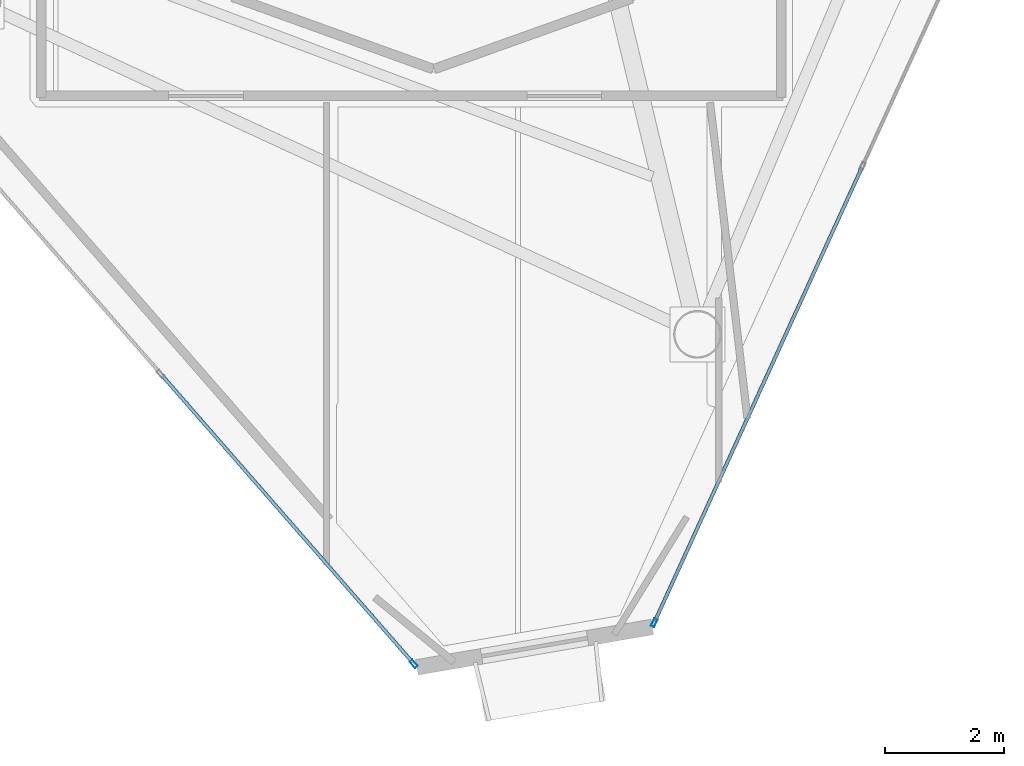
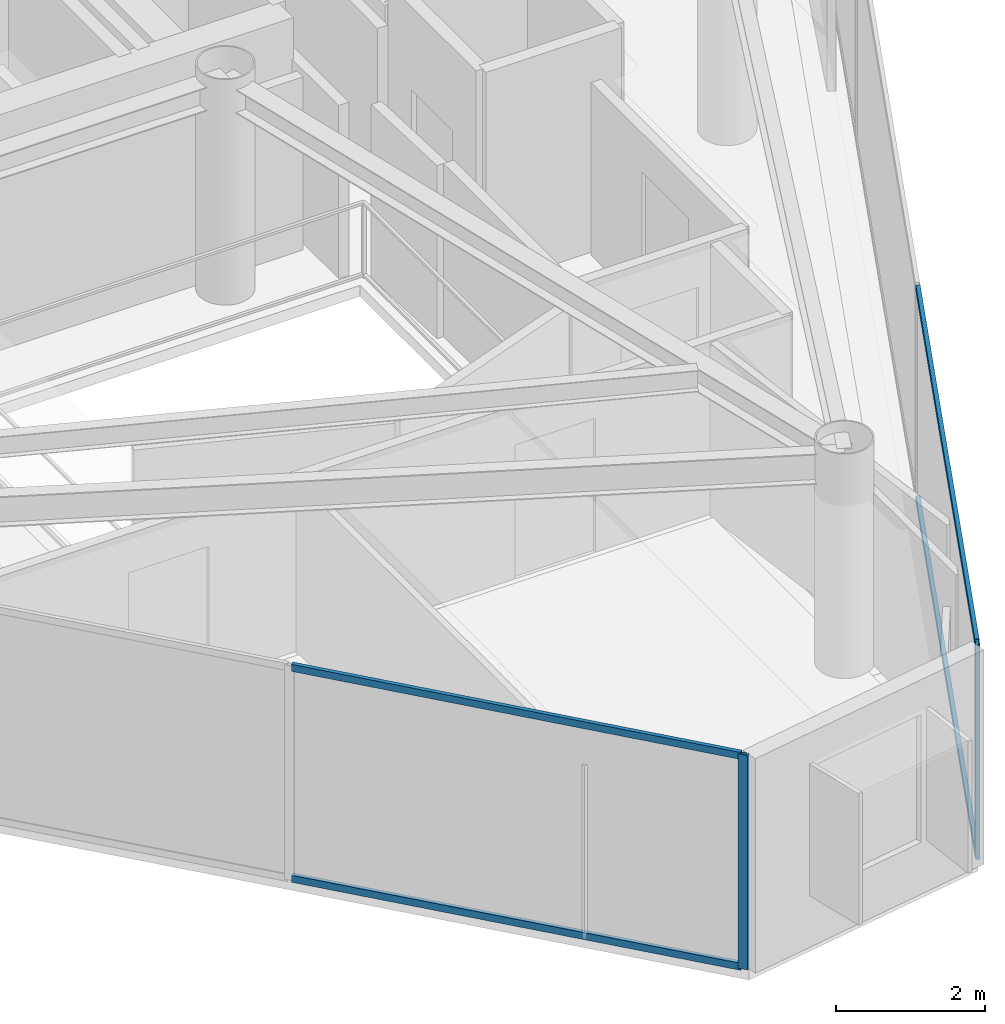
# One storey, part 3 of 19: 6 members, 2 elements without a shape of their own.
"""IFC4 building model written with IfcOpenShell, lengths in metres."""

from ifc_helpers import new_model, si_unit, direction, frame, origin, origin_2d, place, context, subcontext, project, spatial, hollow_rectangle, extrude, material, layer, layer_set, material_profile, profile_set, type_object, element, aggregate, save


model = new_model("IFC4")

# Units and contexts
model_context = context("Model", 3, precision=1e-05, world=origin(), true_north=direction((0.0, 1.0)))
body_context = subcontext(model_context, "Body", "Model", "MODEL_VIEW")
ifc_project = project(units=[si_unit("LENGTHUNIT", "METRE"), si_unit("AREAUNIT", "SQUARE_METRE"), si_unit("VOLUMEUNIT", "CUBIC_METRE"), si_unit("PLANEANGLEUNIT", "RADIAN"), si_unit("MASSUNIT", "GRAM", prefix="KILO")], contexts=[model_context])

# Site, building, storey
site_placement = place(None, origin())
site = spatial("IfcSite", under=ifc_project, at=site_placement, CompositionType="ELEMENT")
building_placement = place(site_placement, origin())
building = spatial("IfcBuilding", under=site, at=building_placement, Name="Qianvela Tower", CompositionType="ELEMENT")
storey_placement = place(building_placement, frame((0.0, 0.0, 325.89990234375)))
storey = spatial("IfcBuildingStorey", under=building, at=storey_placement, Name="L84", CompositionType="ELEMENT", Elevation=325.89990234375)

# Curtain wall, member
ifc_material_1 = material(Name="Anodised Architectural Aluminium and Low-E Glass", Category="aluminium")
ifc_layer = layer(ifc_material_1, 0.14990234375)
ifc_layer_set = layer_set([ifc_layer], Name="Anodised Architectural Aluminium and Low-E Glass")
curtain_wall_type = type_object("IfcCurtainWallType", Name="CW-COLIV-Z78", PredefinedType="USERDEFINED", material=ifc_layer_set)
curtain_wall_1_placement = place(storey_placement, origin())
curtain_wall_1 = element("IfcCurtainWall", 1, at=curtain_wall_1_placement, inside=storey, type_object=curtain_wall_type, Name="L84 CW-COLIV-Z78 Curtain Wall 04C", ObjectType="CURTAIN_WALL_SYSTEM", PredefinedType="USERDEFINED")
ifc_material_2 = material(Name="Anodised Architectural Aluminium 6063-T6", Category="aluminium")
ifc_material_profile_1 = material_profile(ifc_material_2, hollow_rectangle(XDim=0.06005859375, YDim=0.139892578125, WallThickness=0.00439453125, at=origin_2d()), Name="ALU-MULL-60x140")
ifc_profile_set_1 = profile_set([ifc_material_profile_1], Name="Anodised Architectural Aluminium 6063-T6")
member_type_1 = type_object("IfcMemberType", Name="CW-COLIV-Z78-MULL", PredefinedType="MULLION", material=ifc_profile_set_1)
member_1_placement = place(storey_placement, frame((36.46630859375, 6.571044921875, 0.0), z_axis=(0.0, 0.0, 1.0), x_axis=(0.753332861029, 0.657639415253, 0.0)))
member_1 = element("IfcMember", 2, at=member_1_placement, type_object=member_type_1, Name="CW-6 mullion 3", PredefinedType="MULLION", context=body_context, shape_type="SweptSolid", body=[
    extrude(hollow_rectangle(XDim=0.06005859375, YDim=0.139892578125, WallThickness=0.00439453125, at=origin_2d()), origin(), (0.0, 0.0, 1.0), 3.52001953125),
])

curtain_wall_2_placement = place(storey_placement, origin())
curtain_wall_2 = element("IfcCurtainWall", 3, at=curtain_wall_2_placement, inside=storey, type_object=curtain_wall_type, Name="L84 CW-COLIV-Z78 Curtain Wall 06A", ObjectType="CURTAIN_WALL_SYSTEM", PredefinedType="USERDEFINED")
member_2_placement = place(storey_placement, frame((40.49267578125, 7.259521484375, 0.0), z_axis=(0.0, 0.0, 1.0), x_axis=(-0.909766445507, 0.415120482066, 0.0)))
member_2 = element("IfcMember", 4, at=member_2_placement, type_object=member_type_1, Name="CW-6 mullion 1", PredefinedType="MULLION", context=body_context, shape_type="SweptSolid", body=[
    extrude(hollow_rectangle(XDim=0.06005859375, YDim=0.139892578125, WallThickness=0.00439453125, at=origin_2d()), origin(), (0.0, 0.0, 1.0), 3.52001953125),
])

# Member
ifc_material_3 = material(Name="Anodised Architectural Aluminium 6063-T6", Category="aluminium")
ifc_material_profile_2 = material_profile(ifc_material_3, hollow_rectangle(XDim=0.06005859375, YDim=0.114990234375, WallThickness=0.00390625, at=origin_2d()), Name="ALU-TRAN-60x115")
ifc_profile_set_2 = profile_set([ifc_material_profile_2], Name="Anodised Architectural Aluminium 6063-T6")
member_type_2 = type_object("IfcMemberType", Name="CW-COLIV-Z78-TRAN", PredefinedType="USERDEFINED", material=ifc_profile_set_2)
member_3_placement = place(storey_placement, frame((32.249755859375, 11.4013671875, 0.030029296875), z_axis=(0.657626634052, -0.753344018484, 0.0), x_axis=(0.753344018484, 0.657626634052, 0.0)))
member_3 = element("IfcMember", 5, at=member_3_placement, type_object=member_type_2, Name="CW-6 transom 2.1", ObjectType="TRANSOM", PredefinedType="USERDEFINED", context=body_context, shape_type="SweptSolid", body=[
    extrude(hollow_rectangle(XDim=0.06005859375, YDim=0.114990234375, WallThickness=0.00390625, at=origin_2d()), origin(), (0.0, 0.0, 1.0), 6.381591796875),
])

member_4_placement = place(storey_placement, frame((32.249755859375, 11.4013671875, 3.489990234375), z_axis=(0.657626634052, -0.753344018484, 0.0), x_axis=(0.753344018484, 0.657626634052, 0.0)))
member_4 = element("IfcMember", 6, at=member_4_placement, type_object=member_type_2, Name="CW-6 transom 2.2", ObjectType="TRANSOM", PredefinedType="USERDEFINED", context=body_context, shape_type="SweptSolid", body=[
    extrude(hollow_rectangle(XDim=0.06005859375, YDim=0.114990234375, WallThickness=0.00390625, at=origin_2d()), origin(), (0.0, 0.0, 1.0), 6.381591796875),
])

aggregate(curtain_wall_1, [member_1, member_3, member_4])

member_5_placement = place(storey_placement, frame((40.505126953125, 7.286865234375, 0.030029296875), z_axis=(0.415128035498, 0.909762998887, 0.0), x_axis=(-0.909762998887, 0.415128035498, 0.0)))
member_5 = element("IfcMember", 7, at=member_5_placement, type_object=member_type_2, Name="CW-6 transom 1.1", ObjectType="TRANSOM", PredefinedType="USERDEFINED", context=body_context, shape_type="SweptSolid", body=[
    extrude(hollow_rectangle(XDim=0.06005859375, YDim=0.114990234375, WallThickness=0.00390625, at=origin_2d()), origin(), (0.0, 0.0, 1.0), 8.340087890625),
])

member_6_placement = place(storey_placement, frame((40.505126953125, 7.286865234375, 3.489990234375), z_axis=(0.415128035498, 0.909762998887, 0.0), x_axis=(-0.909762998887, 0.415128035498, 0.0)))
member_6 = element("IfcMember", 8, at=member_6_placement, type_object=member_type_2, Name="CW-6 transom 1.2", ObjectType="TRANSOM", PredefinedType="USERDEFINED", context=body_context, shape_type="SweptSolid", body=[
    extrude(hollow_rectangle(XDim=0.06005859375, YDim=0.114990234375, WallThickness=0.00390625, at=origin_2d()), origin(), (0.0, 0.0, 1.0), 8.340087890625),
])

aggregate(curtain_wall_2, [member_2, member_5, member_6])

save(model, "model.ifc")
